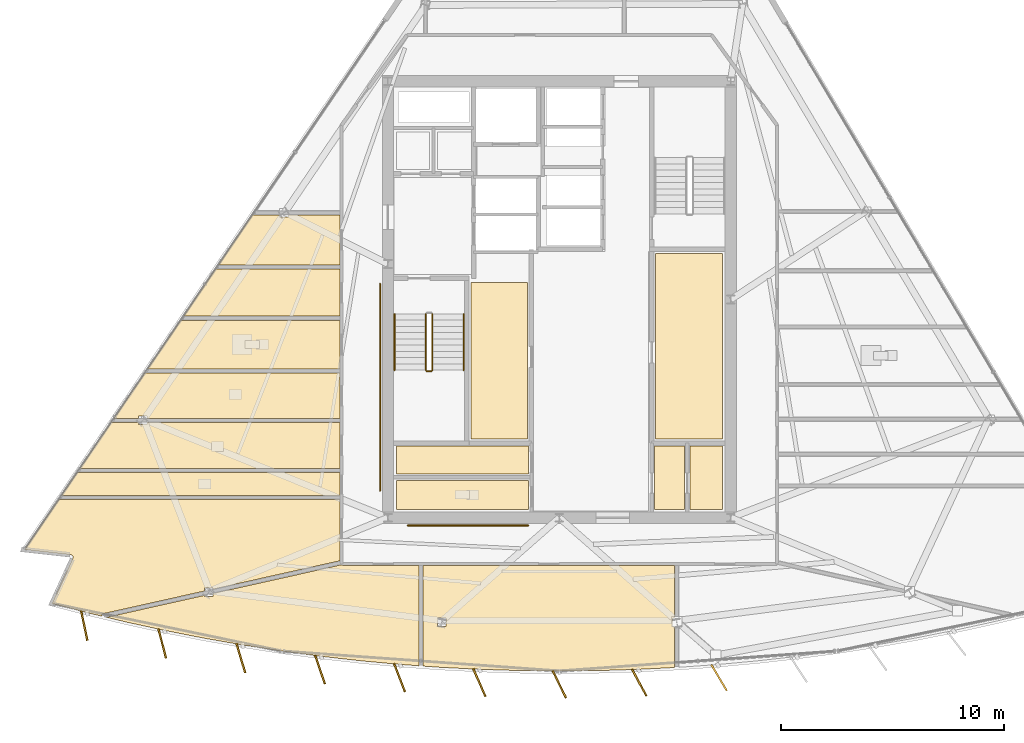
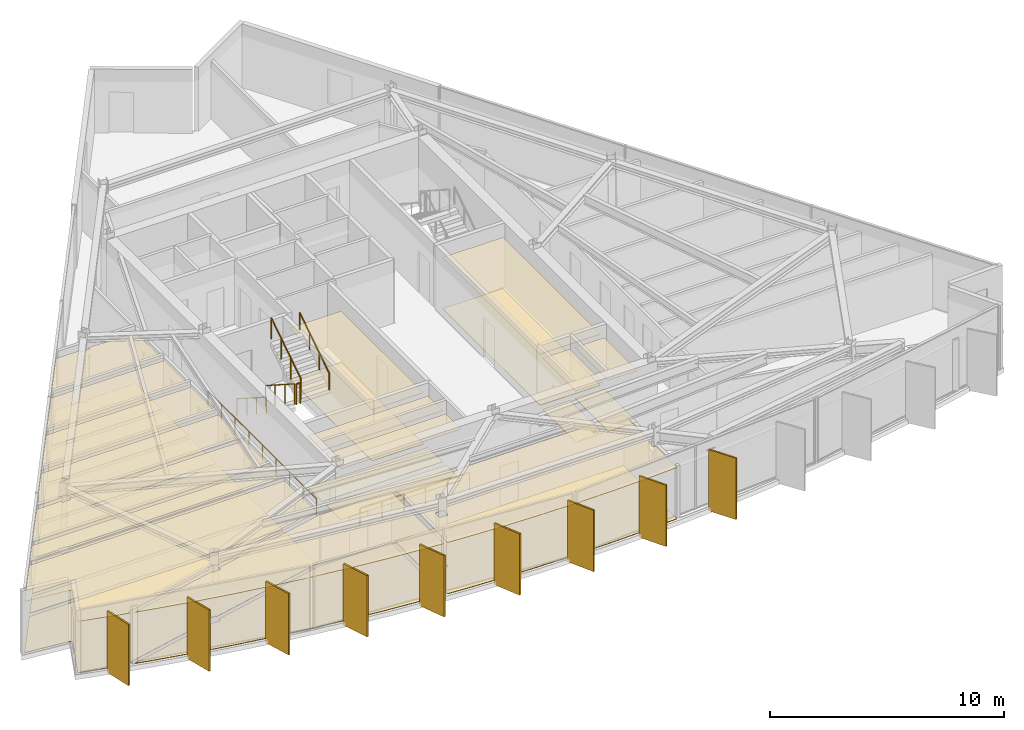
# One storey, part 10 of 13: 30 coverings, 9 shading devices, 7 railings.
"""IFC4 building model written with IfcOpenShell, lengths in metres."""

from ifc_helpers import new_model, si_unit, direction, frame, origin, origin_2d, place, context, subcontext, project, spatial, polyline, rectangle, circle, outline, extrude, material, layer, layer_set, type_object, element, save


model = new_model("IFC4")

# Units and contexts
model_context = context("Model", 3, precision=1e-05, world=origin(), true_north=direction((0.0, 1.0)))
body_context = subcontext(model_context, "Body", "Model", "MODEL_VIEW")
ifc_project = project(units=[si_unit("LENGTHUNIT", "METRE"), si_unit("AREAUNIT", "SQUARE_METRE"), si_unit("VOLUMEUNIT", "CUBIC_METRE"), si_unit("PLANEANGLEUNIT", "RADIAN"), si_unit("MASSUNIT", "GRAM", prefix="KILO")], contexts=[model_context])

# Site, building, storey
site_placement = place(None, origin())
site = spatial("IfcSite", under=ifc_project, at=site_placement, CompositionType="ELEMENT")
building_placement = place(site_placement, origin())
building = spatial("IfcBuilding", under=site, at=building_placement, Name="Savorim Split Tower", CompositionType="ELEMENT")
storey_placement = place(building_placement, frame((0.0, 0.0, 258.0)))
storey = spatial("IfcBuildingStorey", under=building, at=storey_placement, Name="L68", CompositionType="ELEMENT", Elevation=258.0)

# Coverings
ifc_material_1 = material(Name="Mineral Fibre Acoustic Ceiling")
ifc_layer_1 = layer(ifc_material_1, 0.02490234375)
ifc_layer_set_1 = layer_set([ifc_layer_1], Name="COV-CEIL-25")
covering_type_1 = type_object("IfcCoveringType", Name="COV-CEIL-25", PredefinedType="CEILING", material=ifc_layer_set_1)
covering_1_placement = place(storey_placement, frame((0.0, 0.0, 2.669921875)))
element("IfcCovering", 1, at=covering_1_placement, inside=storey, type_object=covering_type_1, Name="L68 Shared Pantry and Linen Room Acoustic Ceiling", PredefinedType="CEILING", context=body_context, shape_type="SweptSolid", body=[
    extrude(outline(polyline([(4.330078125, 2.469970703125), (4.330078125, -5.8701171875), (7.320068359375, -5.8701171875), (7.320068359375, 2.469970703125), (4.330078125, 2.469970703125)])), origin(), (0.0, 0.0, 1.0), 0.025146484375),
])
covering_2_placement = place(storey_placement, frame((0.0, 0.0, 2.669921875)))
element("IfcCovering", 2, at=covering_2_placement, inside=storey, type_object=covering_type_1, Name="L68 Housekeeping and Parcel Room Acoustic Ceiling", PredefinedType="CEILING", context=body_context, shape_type="SweptSolid", body=[
    extrude(outline(polyline([(-3.969970703125, 1.169921875), (-3.969970703125, -5.8701171875), (-1.429931640625, -5.8701171875), (-1.429931640625, 1.169921875), (-3.969970703125, 1.169921875)])), origin(), (0.0, 0.0, 1.0), 0.025146484375),
])
covering_3_placement = place(storey_placement, frame((0.0, 0.0, 2.669921875)))
element("IfcCovering", 3, at=covering_3_placement, inside=storey, type_object=covering_type_1, Name="L68 Cleaning Store Acoustic Ceiling", PredefinedType="CEILING", context=body_context, shape_type="SweptSolid", body=[
    extrude(outline(polyline([(-7.320068359375, -6.179931640625), (-7.320068359375, -7.43994140625), (-1.3798828125, -7.43994140625), (-1.3798828125, -6.179931640625), (-7.320068359375, -6.179931640625)])), origin(), (0.0, 0.0, 1.0), 0.025146484375),
])
covering_4_placement = place(storey_placement, frame((0.0, 0.0, 2.669921875)))
element("IfcCovering", 4, at=covering_4_placement, inside=storey, type_object=covering_type_1, Name="L68 Public WC Acoustic Ceiling", PredefinedType="CEILING", context=body_context, shape_type="SweptSolid", body=[
    extrude(outline(polyline([(-7.320068359375, -7.719970703125), (-7.320068359375, -9.02001953125), (-1.3798828125, -9.02001953125), (-1.3798828125, -7.719970703125), (-7.320068359375, -7.719970703125)])), origin(), (0.0, 0.0, 1.0), 0.025146484375),
])
covering_5_placement = place(storey_placement, frame((0.0, 0.0, 2.669921875)))
element("IfcCovering", 5, at=covering_5_placement, inside=storey, type_object=covering_type_1, Name="L68 Vending Pantry Acoustic Ceiling", PredefinedType="CEILING", context=body_context, shape_type="SweptSolid", body=[
    extrude(outline(polyline([(4.280029296875, -6.179931640625), (4.280029296875, -9.02001953125), (5.6201171875, -9.02001953125), (5.6201171875, -6.179931640625), (4.280029296875, -6.179931640625)])), origin(), (0.0, 0.0, 1.0), 0.025146484375),
])
covering_6_placement = place(storey_placement, frame((0.0, 0.0, 2.669921875)))
element("IfcCovering", 6, at=covering_6_placement, inside=storey, type_object=covering_type_1, Name="L68 Recycling Chute Room Acoustic Ceiling", PredefinedType="CEILING", context=body_context, shape_type="SweptSolid", body=[
    extrude(outline(polyline([(5.8798828125, -6.179931640625), (5.8798828125, -9.02001953125), (7.320068359375, -9.02001953125), (7.320068359375, -6.179931640625), (5.8798828125, -6.179931640625)])), origin(), (0.0, 0.0, 1.0), 0.025146484375),
])
covering_7_placement = place(storey_placement, frame((0.0, 0.0, 2.669921875)))
element("IfcCovering", 7, at=covering_7_placement, inside=storey, type_object=covering_type_1, Name="L68 Shared Bathroom Acoustic Ceiling", PredefinedType="CEILING", context=body_context, shape_type="SweptSolid", body=[
    extrude(outline(polyline([(-17.002685546875, -0.531982421875), (-18.48486328125, -2.710693359375), (-9.840087890625, -2.710693359375), (-9.840087890625, -0.531982421875), (-17.002685546875, -0.531982421875)])), origin(), (0.0, 0.0, 1.0), 0.025146484375),
])
covering_8_placement = place(storey_placement, frame((0.0, 0.0, 2.669921875)))
element("IfcCovering", 8, at=covering_8_placement, inside=storey, type_object=covering_type_1, Name="L68 Shared Kitchen Acoustic Ceiling", PredefinedType="CEILING", context=body_context, shape_type="SweptSolid", body=[
    extrude(outline(polyline([(-18.506591796875, -4.832275390625), (-18.506591796875, -4.93310546875), (-9.840087890625, -4.93310546875), (-9.840087890625, -2.900634765625), (-18.614013671875, -2.900634765625), (-19.996826171875, -4.93310546875), (-18.900634765625, -4.93310546875), (-18.900634765625, -4.832275390625), (-18.506591796875, -4.832275390625)])), origin(), (0.0, 0.0, 1.0), 0.025146484375),
])
covering_9_placement = place(storey_placement, frame((0.0, 0.0, 2.669921875)))
element("IfcCovering", 9, at=covering_9_placement, inside=storey, type_object=covering_type_1, Name="L68 Shared Kitchen Acoustic Ceiling", PredefinedType="CEILING", context=body_context, shape_type="SweptSolid", body=[
    extrude(outline(polyline([(-20.0009765625, -5.123291015625), (-20.095947265625, -5.123291015625), (-20.095947265625, -5.0791015625), (-21.5244140625, -7.1787109375), (-9.840087890625, -7.1787109375), (-9.840087890625, -5.123291015625), (-18.506591796875, -5.123291015625), (-18.506591796875, -5.22412109375), (-18.900634765625, -5.22412109375), (-18.900634765625, -5.123291015625), (-20.0009765625, -5.123291015625)])), origin(), (0.0, 0.0, 1.0), 0.025146484375),
])
covering_10_placement = place(storey_placement, frame((0.0, 0.0, 2.669921875)))
element("IfcCovering", 10, at=covering_10_placement, inside=storey, type_object=covering_type_1, Name="L68 Community Laundry Room Acoustic Ceiling", PredefinedType="CEILING", context=body_context, shape_type="SweptSolid", body=[
    extrude(outline(polyline([(-9.840087890625, -8.39599609375), (-9.840087890625, -7.36865234375), (-21.653564453125, -7.36865234375), (-22.3525390625, -8.39599609375), (-9.840087890625, -8.39599609375)])), origin(), (0.0, 0.0, 1.0), 0.025146484375),
])
covering_11_placement = place(storey_placement, frame((0.0, 0.0, 2.669921875)))
element("IfcCovering", 11, at=covering_11_placement, inside=storey, type_object=covering_type_1, Name="L68 Co-Working Commons Acoustic Ceiling", PredefinedType="CEILING", context=body_context, shape_type="SweptSolid", body=[
    extrude(outline(polyline([(-21.83837890625, -11.18408203125), (-21.839111328125, -11.196044921875), (-21.84130859375, -11.2080078125), (-21.8447265625, -11.21923828125), (-21.84912109375, -11.23046875), (-22.7783203125, -13.2529296875), (-21.18994140625, -13.668212890625), (-20.527099609375, -13.8271484375), (-20.5498046875, -13.7255859375), (-15.939697265625, -12.694580078125), (-15.939697265625, -12.552001953125), (-15.545654296875, -12.552001953125), (-15.545654296875, -12.6064453125), (-9.85791015625, -11.334716796875), (-9.840087890625, -11.33056640625), (-9.840087890625, -8.5859375), (-22.481689453125, -8.5859375), (-24.0087890625, -10.83056640625), (-21.94482421875, -11.06103515625), (-21.93310546875, -11.06298828125), (-21.921630859375, -11.06591796875), (-21.910400390625, -11.0703125), (-21.899658203125, -11.075439453125), (-21.8896484375, -11.081787109375), (-21.880126953125, -11.089111328125), (-21.87158203125, -11.097412109375), (-21.86376953125, -11.1064453125), (-21.856689453125, -11.1162109375), (-21.850830078125, -11.12646484375), (-21.84619140625, -11.137451171875), (-21.84228515625, -11.148681640625), (-21.83984375, -11.160400390625), (-21.83837890625, -11.17236328125), (-21.83837890625, -11.18408203125)])), origin(), (0.0, 0.0, 1.0), 0.025146484375),
])
covering_12_placement = place(storey_placement, frame((0.0, 0.0, 2.669921875)))
element("IfcCovering", 12, at=covering_12_placement, inside=storey, type_object=covering_type_1, Name="L68 Co-Living Bedroom Acoustic Ceiling", PredefinedType="CEILING", context=body_context, shape_type="SweptSolid", body=[
    extrude(outline(polyline([(-10.67529296875, -15.626953125), (-8.90283203125, -15.827392578125), (-7.126953125, -15.991455078125), (-6.310302734375, -16.050048828125), (-6.310302734375, -11.5400390625), (-9.699951171875, -11.5400390625), (-9.713623046875, -11.539306640625), (-9.727294921875, -11.537353515625), (-9.740478515625, -11.533935546875), (-9.753662109375, -11.529296875), (-9.76611328125, -11.5234375), (-9.77783203125, -11.516357421875), (-9.782958984375, -11.512451171875), (-15.545654296875, -12.80126953125), (-15.545654296875, -12.94384765625), (-15.939697265625, -12.94384765625), (-15.939697265625, -12.889404296875), (-20.33740234375, -13.872802734375), (-19.45556640625, -14.084228515625), (-17.712890625, -14.464599609375), (-15.962646484375, -14.80908203125), (-14.2060546875, -15.117919921875), (-12.443359375, -15.390380859375), (-10.67529296875, -15.626953125)])), origin(), (0.0, 0.0, 1.0), 0.025146484375),
])
covering_13_placement = place(storey_placement, frame((0.0, 0.0, 2.669921875)))
element("IfcCovering", 13, at=covering_13_placement, inside=storey, type_object=covering_type_1, Name="L68 Co-Working Commons Acoustic Ceiling", PredefinedType="CEILING", context=body_context, shape_type="SweptSolid", body=[
    extrude(outline(polyline([(-1.783447265625, -16.264892578125), (0.0, -16.283203125), (1.783447265625, -16.264892578125), (3.56640625, -16.210205078125), (5.18115234375, -16.12744140625), (5.18115234375, -14.28759765625), (5.0791015625, -14.28759765625), (5.0791015625, -13.895751953125), (5.18115234375, -13.895751953125), (5.18115234375, -11.5400390625), (-6.1201171875, -11.5400390625), (-6.1201171875, -16.063720703125), (-5.34765625, -16.118896484375), (-3.56640625, -16.210205078125), (-1.783447265625, -16.264892578125)]), holes=[polyline([(-5.47314453125, -14.28759765625), (-5.0791015625, -14.28759765625), (-5.0791015625, -13.895751953125), (-5.47314453125, -13.895751953125), (-5.47314453125, -14.28759765625)])]), origin(), (0.0, 0.0, 1.0), 0.025146484375),
])
covering_14_placement = place(storey_placement, frame((0.0, 0.0, 2.669921875)))
element("IfcCovering", 14, at=covering_14_placement, inside=storey, type_object=covering_type_1, Name="L68 Co-Living Bedroom Acoustic Ceiling", PredefinedType="CEILING", context=body_context, shape_type="SweptSolid", body=[
    extrude(outline(polyline([(-12.554443359375, 4.20556640625), (-13.65478515625, 4.20556640625), (-13.749755859375, 4.20556640625), (-13.749755859375, 4.249755859375), (-15.311767578125, 1.95361328125), (-9.840087890625, 1.95361328125), (-9.840087890625, 4.20556640625), (-12.160400390625, 4.20556640625), (-12.160400390625, 4.1044921875), (-12.554443359375, 4.1044921875), (-12.554443359375, 4.20556640625)])), origin(), (0.0, 0.0, 1.0), 0.025146484375),
])
covering_15_placement = place(storey_placement, frame((0.0, 0.0, 2.669921875)))
element("IfcCovering", 15, at=covering_15_placement, inside=storey, type_object=covering_type_1, Name="L68 Quiet Study Room Acoustic Ceiling", PredefinedType="CEILING", context=body_context, shape_type="SweptSolid", body=[
    extrude(outline(polyline([(-15.441162109375, 1.763671875), (-16.87353515625, -0.342041015625), (-9.840087890625, -0.342041015625), (-9.840087890625, 1.763671875), (-15.441162109375, 1.763671875)])), origin(), (0.0, 0.0, 1.0), 0.025146484375),
])
ifc_material_2 = material(Name="Porcelain Stoneware Flooring", Category="masonry")
ifc_layer_2 = layer(ifc_material_2, 0.02001953125)
ifc_layer_set_2 = layer_set([ifc_layer_2], Name="COV-FLOR-20")
covering_type_2 = type_object("IfcCoveringType", Name="COV-FLOR-20", PredefinedType="FLOORING", material=ifc_layer_set_2)
covering_16_placement = place(storey_placement, origin())
element("IfcCovering", 16, at=covering_16_placement, inside=storey, type_object=covering_type_2, Name="L68 Shared Pantry and Linen Room Porcelain Flooring", PredefinedType="FLOORING", context=body_context, shape_type="SweptSolid", body=[
    extrude(outline(polyline([(4.330078125, 2.469970703125), (4.330078125, -5.8701171875), (7.320068359375, -5.8701171875), (7.320068359375, 2.469970703125), (4.330078125, 2.469970703125)])), origin(), (0.0, 0.0, 1.0), 0.02001953125),
])
covering_17_placement = place(storey_placement, origin())
element("IfcCovering", 17, at=covering_17_placement, inside=storey, type_object=covering_type_2, Name="L68 Housekeeping and Parcel Room Porcelain Flooring", PredefinedType="FLOORING", context=body_context, shape_type="SweptSolid", body=[
    extrude(outline(polyline([(-3.969970703125, 1.169921875), (-3.969970703125, -5.8701171875), (-1.429931640625, -5.8701171875), (-1.429931640625, 1.169921875), (-3.969970703125, 1.169921875)])), origin(), (0.0, 0.0, 1.0), 0.02001953125),
])
covering_18_placement = place(storey_placement, origin())
element("IfcCovering", 18, at=covering_18_placement, inside=storey, type_object=covering_type_2, Name="L68 Cleaning Store Porcelain Flooring", PredefinedType="FLOORING", context=body_context, shape_type="SweptSolid", body=[
    extrude(outline(polyline([(-7.320068359375, -6.179931640625), (-7.320068359375, -7.43994140625), (-1.3798828125, -7.43994140625), (-1.3798828125, -6.179931640625), (-7.320068359375, -6.179931640625)])), origin(), (0.0, 0.0, 1.0), 0.02001953125),
])
covering_19_placement = place(storey_placement, origin())
element("IfcCovering", 19, at=covering_19_placement, inside=storey, type_object=covering_type_2, Name="L68 Public WC Porcelain Flooring", PredefinedType="FLOORING", context=body_context, shape_type="SweptSolid", body=[
    extrude(outline(polyline([(-7.320068359375, -7.719970703125), (-7.320068359375, -9.02001953125), (-1.3798828125, -9.02001953125), (-1.3798828125, -7.719970703125), (-7.320068359375, -7.719970703125)])), origin(), (0.0, 0.0, 1.0), 0.02001953125),
])
covering_20_placement = place(storey_placement, origin())
element("IfcCovering", 20, at=covering_20_placement, inside=storey, type_object=covering_type_2, Name="L68 Vending Pantry Porcelain Flooring", PredefinedType="FLOORING", context=body_context, shape_type="SweptSolid", body=[
    extrude(outline(polyline([(4.280029296875, -6.179931640625), (4.280029296875, -9.02001953125), (5.6201171875, -9.02001953125), (5.6201171875, -6.179931640625), (4.280029296875, -6.179931640625)])), origin(), (0.0, 0.0, 1.0), 0.02001953125),
])
covering_21_placement = place(storey_placement, origin())
element("IfcCovering", 21, at=covering_21_placement, inside=storey, type_object=covering_type_2, Name="L68 Recycling Chute Room Porcelain Flooring", PredefinedType="FLOORING", context=body_context, shape_type="SweptSolid", body=[
    extrude(outline(polyline([(5.8798828125, -6.179931640625), (5.8798828125, -9.02001953125), (7.320068359375, -9.02001953125), (7.320068359375, -6.179931640625), (5.8798828125, -6.179931640625)])), origin(), (0.0, 0.0, 1.0), 0.02001953125),
])
covering_22_placement = place(storey_placement, origin())
element("IfcCovering", 22, at=covering_22_placement, inside=storey, type_object=covering_type_2, Name="L68 Shared Bathroom Porcelain Flooring", PredefinedType="FLOORING", context=body_context, shape_type="SweptSolid", body=[
    extrude(outline(polyline([(-17.002685546875, -0.531982421875), (-18.48486328125, -2.710693359375), (-9.840087890625, -2.710693359375), (-9.840087890625, -0.531982421875), (-17.002685546875, -0.531982421875)])), origin(), (0.0, 0.0, 1.0), 0.02001953125),
])
covering_23_placement = place(storey_placement, origin())
element("IfcCovering", 23, at=covering_23_placement, inside=storey, type_object=covering_type_2, Name="L68 Shared Kitchen Porcelain Flooring", PredefinedType="FLOORING", context=body_context, shape_type="SweptSolid", body=[
    extrude(outline(polyline([(-18.506591796875, -4.832275390625), (-18.506591796875, -4.93310546875), (-9.840087890625, -4.93310546875), (-9.840087890625, -2.900634765625), (-18.614013671875, -2.900634765625), (-19.996826171875, -4.93310546875), (-18.900634765625, -4.93310546875), (-18.900634765625, -4.832275390625), (-18.506591796875, -4.832275390625)])), origin(), (0.0, 0.0, 1.0), 0.02001953125),
])
covering_24_placement = place(storey_placement, origin())
element("IfcCovering", 24, at=covering_24_placement, inside=storey, type_object=covering_type_2, Name="L68 Shared Kitchen Porcelain Flooring", PredefinedType="FLOORING", context=body_context, shape_type="SweptSolid", body=[
    extrude(outline(polyline([(-20.0009765625, -5.123291015625), (-20.095947265625, -5.123291015625), (-20.095947265625, -5.0791015625), (-21.5244140625, -7.1787109375), (-9.840087890625, -7.1787109375), (-9.840087890625, -5.123291015625), (-18.506591796875, -5.123291015625), (-18.506591796875, -5.22412109375), (-18.900634765625, -5.22412109375), (-18.900634765625, -5.123291015625), (-20.0009765625, -5.123291015625)])), origin(), (0.0, 0.0, 1.0), 0.02001953125),
])
covering_25_placement = place(storey_placement, origin())
element("IfcCovering", 25, at=covering_25_placement, inside=storey, type_object=covering_type_2, Name="L68 Community Laundry Room Porcelain Flooring", PredefinedType="FLOORING", context=body_context, shape_type="SweptSolid", body=[
    extrude(outline(polyline([(-9.840087890625, -8.39599609375), (-9.840087890625, -7.36865234375), (-21.653564453125, -7.36865234375), (-22.3525390625, -8.39599609375), (-9.840087890625, -8.39599609375)])), origin(), (0.0, 0.0, 1.0), 0.02001953125),
])
covering_26_placement = place(storey_placement, origin())
element("IfcCovering", 26, at=covering_26_placement, inside=storey, type_object=covering_type_2, Name="L68 Co-Working Commons Porcelain Flooring", PredefinedType="FLOORING", context=body_context, shape_type="SweptSolid", body=[
    extrude(outline(polyline([(-21.83837890625, -11.18408203125), (-21.839111328125, -11.196044921875), (-21.84130859375, -11.2080078125), (-21.8447265625, -11.21923828125), (-21.84912109375, -11.23046875), (-22.7783203125, -13.2529296875), (-21.18994140625, -13.668212890625), (-20.527099609375, -13.8271484375), (-20.5498046875, -13.7255859375), (-15.939697265625, -12.694580078125), (-15.939697265625, -12.552001953125), (-15.545654296875, -12.552001953125), (-15.545654296875, -12.6064453125), (-9.85791015625, -11.334716796875), (-9.840087890625, -11.33056640625), (-9.840087890625, -8.5859375), (-22.481689453125, -8.5859375), (-24.0087890625, -10.83056640625), (-21.94482421875, -11.06103515625), (-21.93310546875, -11.06298828125), (-21.921630859375, -11.06591796875), (-21.910400390625, -11.0703125), (-21.899658203125, -11.075439453125), (-21.8896484375, -11.081787109375), (-21.880126953125, -11.089111328125), (-21.87158203125, -11.097412109375), (-21.86376953125, -11.1064453125), (-21.856689453125, -11.1162109375), (-21.850830078125, -11.12646484375), (-21.84619140625, -11.137451171875), (-21.84228515625, -11.148681640625), (-21.83984375, -11.160400390625), (-21.83837890625, -11.17236328125), (-21.83837890625, -11.18408203125)])), origin(), (0.0, 0.0, 1.0), 0.02001953125),
])
covering_27_placement = place(storey_placement, origin())
element("IfcCovering", 27, at=covering_27_placement, inside=storey, type_object=covering_type_2, Name="L68 Co-Living Bedroom Porcelain Flooring", PredefinedType="FLOORING", context=body_context, shape_type="SweptSolid", body=[
    extrude(outline(polyline([(-10.67529296875, -15.626953125), (-8.90283203125, -15.827392578125), (-7.126953125, -15.991455078125), (-6.310302734375, -16.050048828125), (-6.310302734375, -11.5400390625), (-9.699951171875, -11.5400390625), (-9.713623046875, -11.539306640625), (-9.727294921875, -11.537353515625), (-9.740478515625, -11.533935546875), (-9.753662109375, -11.529296875), (-9.76611328125, -11.5234375), (-9.77783203125, -11.516357421875), (-9.782958984375, -11.512451171875), (-15.545654296875, -12.80126953125), (-15.545654296875, -12.94384765625), (-15.939697265625, -12.94384765625), (-15.939697265625, -12.889404296875), (-20.33740234375, -13.872802734375), (-19.45556640625, -14.084228515625), (-17.712890625, -14.464599609375), (-15.962646484375, -14.80908203125), (-14.2060546875, -15.117919921875), (-12.443359375, -15.390380859375), (-10.67529296875, -15.626953125)])), origin(), (0.0, 0.0, 1.0), 0.02001953125),
])
covering_28_placement = place(storey_placement, origin())
element("IfcCovering", 28, at=covering_28_placement, inside=storey, type_object=covering_type_2, Name="L68 Co-Working Commons Porcelain Flooring", PredefinedType="FLOORING", context=body_context, shape_type="SweptSolid", body=[
    extrude(outline(polyline([(-1.783447265625, -16.264892578125), (0.0, -16.283203125), (1.783447265625, -16.264892578125), (3.56640625, -16.210205078125), (5.18115234375, -16.12744140625), (5.18115234375, -14.28759765625), (5.0791015625, -14.28759765625), (5.0791015625, -13.895751953125), (5.18115234375, -13.895751953125), (5.18115234375, -11.5400390625), (-6.1201171875, -11.5400390625), (-6.1201171875, -16.063720703125), (-5.34765625, -16.118896484375), (-3.56640625, -16.210205078125), (-1.783447265625, -16.264892578125)]), holes=[polyline([(-5.47314453125, -14.28759765625), (-5.0791015625, -14.28759765625), (-5.0791015625, -13.895751953125), (-5.47314453125, -13.895751953125), (-5.47314453125, -14.28759765625)])]), origin(), (0.0, 0.0, 1.0), 0.02001953125),
])
covering_29_placement = place(storey_placement, origin())
element("IfcCovering", 29, at=covering_29_placement, inside=storey, type_object=covering_type_2, Name="L68 Co-Living Bedroom Porcelain Flooring", PredefinedType="FLOORING", context=body_context, shape_type="SweptSolid", body=[
    extrude(outline(polyline([(-12.554443359375, 4.20556640625), (-13.65478515625, 4.20556640625), (-13.749755859375, 4.20556640625), (-13.749755859375, 4.249755859375), (-15.311767578125, 1.95361328125), (-9.840087890625, 1.95361328125), (-9.840087890625, 4.20556640625), (-12.160400390625, 4.20556640625), (-12.160400390625, 4.1044921875), (-12.554443359375, 4.1044921875), (-12.554443359375, 4.20556640625)])), origin(), (0.0, 0.0, 1.0), 0.02001953125),
])
covering_30_placement = place(storey_placement, origin())
element("IfcCovering", 30, at=covering_30_placement, inside=storey, type_object=covering_type_2, Name="L68 Quiet Study Room Porcelain Flooring", PredefinedType="FLOORING", context=body_context, shape_type="SweptSolid", body=[
    extrude(outline(polyline([(-15.441162109375, 1.763671875), (-16.87353515625, -0.342041015625), (-9.840087890625, -0.342041015625), (-9.840087890625, 1.763671875), (-15.441162109375, 1.763671875)])), origin(), (0.0, 0.0, 1.0), 0.02001953125),
])

# Railings
ifc_material_3 = material(Name="Galvanised Painted Steel Balustrade", Category="steel")
railing_type_1 = type_object("IfcRailingType", Name="RLG-HR-900", PredefinedType="HANDRAIL", material=ifc_material_3)
railing_1_placement = place(storey_placement, frame((-7.39990234375, -0.25, 0.179931640625)))
element("IfcRailing", 31, at=railing_1_placement, inside=storey, type_object=railing_type_1, Name="L68 ST-1 stair handrail 1", PredefinedType="HANDRAIL", context=body_context, shape_type="SweptSolid", body=[
    extrude(circle(Radius=0.02392578125, at=origin_2d()), frame((0.0, 0.0, 0.8759765625), z_axis=(0.0, -0.841162588446, 0.540782303519), x_axis=(1.0, 0.0, 0.0)), (0.0, 0.0, 1.0), 2.995849609375),
    extrude(circle(Radius=0.02099609375, at=origin_2d()), origin(), (0.0, 0.0, 1.0), 0.851806640625),
    extrude(circle(Radius=0.02099609375, at=origin_2d()), frame((0.0, -0.840087890625, 0.5400390625)), (0.0, 0.0, 1.0), 0.851806640625),
    extrude(circle(Radius=0.02099609375, at=origin_2d()), frame((0.0, -1.679931640625, 1.080078125)), (0.0, 0.0, 1.0), 0.851806640625),
    extrude(circle(Radius=0.02099609375, at=origin_2d()), frame((0.0, -2.52001953125, 1.6201171875)), (0.0, 0.0, 1.0), 0.851806640625),
])
railing_2_placement = place(storey_placement, frame((-4.300048828125, -2.77001953125, 1.97998046875)))
element("IfcRailing", 32, at=railing_2_placement, inside=storey, type_object=railing_type_1, Name="L68 ST-1 stair handrail 2", PredefinedType="HANDRAIL", context=body_context, shape_type="SweptSolid", body=[
    extrude(circle(Radius=0.02392578125, at=origin_2d()), frame((0.0, 0.0, 0.8759765625), z_axis=(0.0, 0.841162588446, 0.540782303519), x_axis=(-1.0, 0.0, 0.0)), (0.0, 0.0, 1.0), 2.995849609375),
    extrude(circle(Radius=0.02099609375, at=origin_2d()), origin(), (0.0, 0.0, 1.0), 0.851806640625),
    extrude(circle(Radius=0.02099609375, at=origin_2d()), frame((0.0, 0.840087890625, 0.5400390625)), (0.0, 0.0, 1.0), 0.851806640625),
    extrude(circle(Radius=0.02099609375, at=origin_2d()), frame((0.0, 1.679931640625, 1.080078125)), (0.0, 0.0, 1.0), 0.851806640625),
    extrude(circle(Radius=0.02099609375, at=origin_2d()), frame((0.0, 2.52001953125, 1.6201171875)), (0.0, 0.0, 1.0), 0.851806640625),
])
railing_3_placement = place(storey_placement, frame((-6.800048828125, -9.75, 0.0)))
element("IfcRailing", 33, at=railing_3_placement, inside=storey, type_object=railing_type_1, Name="L68 Corridor South Accessible Handrail", PredefinedType="HANDRAIL", context=body_context, shape_type="SweptSolid", body=[
    extrude(circle(Radius=0.02392578125, at=origin_2d()), frame((0.0, 0.0, 0.8759765625), z_axis=(1.0, 0.0, 0.0), x_axis=(0.0, 1.0, 0.0)), (0.0, 0.0, 1.0), 5.400146484375),
    extrude(circle(Radius=0.02099609375, at=origin_2d()), origin(), (0.0, 0.0, 1.0), 0.851806640625),
    extrude(circle(Radius=0.02099609375, at=origin_2d()), frame((1.080078125, 0.0, 0.0)), (0.0, 0.0, 1.0), 0.851806640625),
    extrude(circle(Radius=0.02099609375, at=origin_2d()), frame((2.16015625, 0.0, 0.0)), (0.0, 0.0, 1.0), 0.851806640625),
    extrude(circle(Radius=0.02099609375, at=origin_2d()), frame((3.239990234375, 0.0, 0.0)), (0.0, 0.0, 1.0), 0.851806640625),
    extrude(circle(Radius=0.02099609375, at=origin_2d()), frame((4.320068359375, 0.0, 0.0)), (0.0, 0.0, 1.0), 0.851806640625),
    extrude(circle(Radius=0.02099609375, at=origin_2d()), frame((5.400146484375, 0.0, 0.0)), (0.0, 0.0, 1.0), 0.851806640625),
])
railing_4_placement = place(storey_placement, frame((-8.050048828125, -8.199951171875, 0.0)))
element("IfcRailing", 34, at=railing_4_placement, inside=storey, type_object=railing_type_1, Name="L68 Corridor West Accessible Handrail", PredefinedType="HANDRAIL", context=body_context, shape_type="SweptSolid", body=[
    extrude(circle(Radius=0.02392578125, at=origin_2d()), frame((0.0, 0.0, 0.8759765625), z_axis=(0.0, 1.0, 0.0), x_axis=(-1.0, 0.0, 0.0)), (0.0, 0.0, 1.0), 9.300048828125),
    extrude(circle(Radius=0.02099609375, at=origin_2d()), origin(), (0.0, 0.0, 1.0), 0.851806640625),
    extrude(circle(Radius=0.02099609375, at=origin_2d()), frame((0.0, 1.16259765625, 0.0)), (0.0, 0.0, 1.0), 0.851806640625),
    extrude(circle(Radius=0.02099609375, at=origin_2d()), frame((0.0, 2.324951171875, 0.0)), (0.0, 0.0, 1.0), 0.851806640625),
    extrude(circle(Radius=0.02099609375, at=origin_2d()), frame((0.0, 3.487548828125, 0.0)), (0.0, 0.0, 1.0), 0.851806640625),
    extrude(circle(Radius=0.02099609375, at=origin_2d()), frame((0.0, 4.64990234375, 0.0)), (0.0, 0.0, 1.0), 0.851806640625),
    extrude(circle(Radius=0.02099609375, at=origin_2d()), frame((0.0, 5.8125, 0.0)), (0.0, 0.0, 1.0), 0.851806640625),
    extrude(circle(Radius=0.02099609375, at=origin_2d()), frame((0.0, 6.97509765625, 0.0)), (0.0, 0.0, 1.0), 0.851806640625),
    extrude(circle(Radius=0.02099609375, at=origin_2d()), frame((0.0, 8.137451171875, 0.0)), (0.0, 0.0, 1.0), 0.851806640625),
    extrude(circle(Radius=0.02099609375, at=origin_2d()), frame((0.0, 9.300048828125, 0.0)), (0.0, 0.0, 1.0), 0.851806640625),
])
railing_type_2 = type_object("IfcRailingType", Name="RLG-STG-1100", PredefinedType="BALUSTRADE", material=ifc_material_3)
railing_5_placement = place(storey_placement, frame((-6.0, -0.25, 0.179931640625)))
element("IfcRailing", 35, at=railing_5_placement, inside=storey, type_object=railing_type_2, Name="L68 ST-1 stair guard 1", PredefinedType="BALUSTRADE", context=body_context, shape_type="SweptSolid", body=[
    extrude(circle(Radius=0.02392578125, at=origin_2d()), frame((0.0, 0.0, 1.076171875), z_axis=(0.0, -0.841162588446, 0.540782303519), x_axis=(1.0, 0.0, 0.0)), (0.0, 0.0, 1.0), 2.995849609375),
    extrude(circle(Radius=0.02099609375, at=origin_2d()), origin(), (0.0, 0.0, 1.0), 1.052001953125),
    extrude(circle(Radius=0.02099609375, at=origin_2d()), frame((0.0, -0.840087890625, 0.5400390625)), (0.0, 0.0, 1.0), 1.052001953125),
    extrude(circle(Radius=0.02099609375, at=origin_2d()), frame((0.0, -1.679931640625, 1.080078125)), (0.0, 0.0, 1.0), 1.052001953125),
    extrude(circle(Radius=0.02099609375, at=origin_2d()), frame((0.0, -2.52001953125, 1.6201171875)), (0.0, 0.0, 1.0), 1.052001953125),
])
railing_6_placement = place(storey_placement, frame((-5.949951171875, -2.820068359375, 1.800048828125)))
element("IfcRailing", 36, at=railing_6_placement, inside=storey, type_object=railing_type_2, Name="L68 ST-1 stair guard 2", PredefinedType="BALUSTRADE", context=body_context, shape_type="SweptSolid", body=[
    extrude(circle(Radius=0.02392578125, at=origin_2d()), frame((0.0, 0.0, 1.076171875), z_axis=(1.0, 0.0, 0.0), x_axis=(0.0, 1.0, 0.0)), (0.0, 0.0, 1.0), 0.199951171875),
    extrude(circle(Radius=0.02099609375, at=origin_2d()), origin(), (0.0, 0.0, 1.0), 1.052001953125),
    extrude(circle(Radius=0.02099609375, at=origin_2d()), frame((0.199951171875, 0.0, 0.0)), (0.0, 0.0, 1.0), 1.052001953125),
])
railing_7_placement = place(storey_placement, frame((-5.699951171875, -2.77001953125, 1.97998046875)))
element("IfcRailing", 37, at=railing_7_placement, inside=storey, type_object=railing_type_2, Name="L68 ST-1 stair guard 3", PredefinedType="BALUSTRADE", context=body_context, shape_type="SweptSolid", body=[
    extrude(circle(Radius=0.02392578125, at=origin_2d()), frame((0.0, 0.0, 1.076171875), z_axis=(0.0, 0.841162588446, 0.540782303519), x_axis=(-1.0, 0.0, 0.0)), (0.0, 0.0, 1.0), 2.995849609375),
    extrude(circle(Radius=0.02099609375, at=origin_2d()), origin(), (0.0, 0.0, 1.0), 1.052001953125),
    extrude(circle(Radius=0.02099609375, at=origin_2d()), frame((0.0, 0.840087890625, 0.5400390625)), (0.0, 0.0, 1.0), 1.052001953125),
    extrude(circle(Radius=0.02099609375, at=origin_2d()), frame((0.0, 1.679931640625, 1.080078125)), (0.0, 0.0, 1.0), 1.052001953125),
    extrude(circle(Radius=0.02099609375, at=origin_2d()), frame((0.0, 2.52001953125, 1.6201171875)), (0.0, 0.0, 1.0), 1.052001953125),
])

# Shading devices
ifc_material_4 = material(Name="Terracotta Ceramic-Coated Aluminium Fin", Category="masonry")
shading_device_type = type_object("IfcShadingDeviceType", Name="SHD-FIN-1360", PredefinedType="USERDEFINED", material=ifc_material_4)
for number, where, z_axis, x_axis, name in (
    (38, (-21.3349609375, -14.246337890625, -0.2001953125), (0.0, 0.0, 1.0), (0.206721626106, -0.978399800337, 0.0), "L68 Sawtooth Shading Fin 01"),
    (39, (-17.833984375, -15.048095703125, -0.2001953125), (0.0, 0.0, 1.0), (0.246581250663, -0.969122121727, 0.0), "L68 Sawtooth Shading Fin 02"),
    (40, (-14.302978515625, -15.705810546875, -0.2001953125), (0.0, 0.0, 1.0), (0.286026212504, -0.958221793616, 0.0), "L68 Sawtooth Shading Fin 03"),
    (41, (-10.748291015625, -16.218505859375, -0.2001953125), (0.0, 0.0, 1.0), (0.324993810493, -0.945716143005, 0.0), "L68 Sawtooth Shading Fin 04"),
    (42, (-7.175537109375, -16.58544921875, -0.2001953125), (0.0, 0.0, 1.0), (0.363415461732, -0.931627179817, 0.0), "L68 Sawtooth Shading Fin 05"),
    (43, (-3.5908203125, -16.8056640625, -0.2001953125), (0.0, 0.0, 1.0), (0.401230091723, -0.915977299662, 0.0), "L68 Sawtooth Shading Fin 06"),
    (44, (0.0, -16.879150390625, -0.2001953125), (0.0, 0.0, 1.0), (0.438371146789, -0.898794046299, 0.0), "L68 Sawtooth Shading Fin 07"),
    (45, (3.5908203125, -16.8056640625, -0.2001953125), (0.0, 0.0, 1.0), (0.474778051978, -0.880105562623, 0.0), "L68 Sawtooth Shading Fin 08"),
    (46, (7.175537109375, -16.58544921875, -0.2001953125), (0.0, 0.0, 1.0), (0.510391336723, -0.859942255851, 0.0), "L68 Sawtooth Shading Fin 09"),
):
    element("IfcShadingDevice", number, at=place(storey_placement, frame(where, z_axis=z_axis, x_axis=x_axis)), inside=storey, type_object=shading_device_type, Name=name, ObjectType="FIN", PredefinedType="USERDEFINED", context=body_context, shape_type="SweptSolid", body=[
        extrude(rectangle(XDim=1.360107421875, YDim=0.080078125, at=origin_2d()), origin(), (0.0, 0.0, 1.0), 3.199951171875),
    ])

save(model, "model.ifc")
